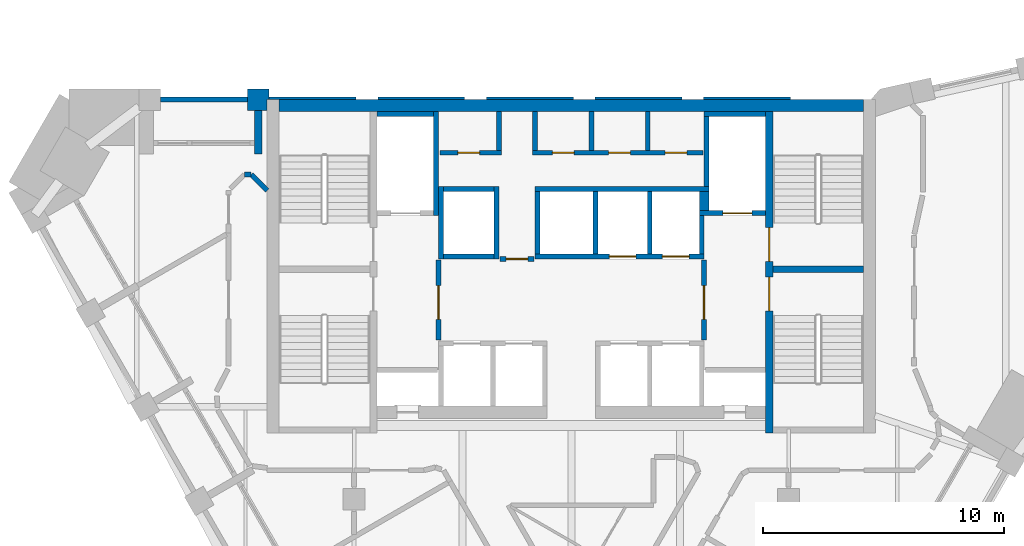
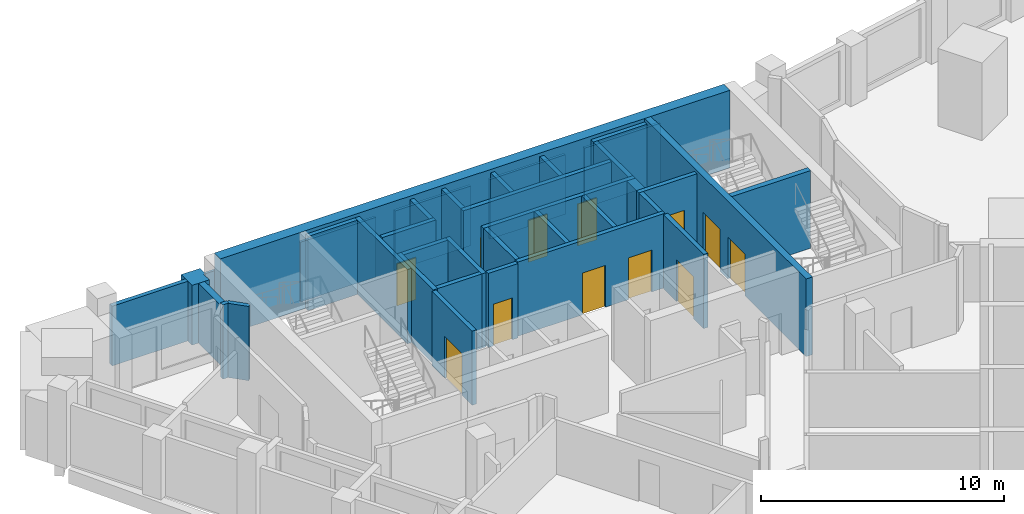
# One storey, part 6 of 9: 38 walls, 12 doors, 12 openings.
"""IFC4 building model written with IfcOpenShell, lengths in metres."""

from ifc_helpers import new_model, si_unit, direction, frame, frame_2d, origin, place, context, subcontext, project, spatial, polyline, rectangle, outline, extrude, material, layer, layer_set, type_object, element, fill, save


model = new_model("IFC4")

# Units and contexts
model_context = context("Model", 3, precision=1e-05, world=origin(), true_north=direction((0.0, 1.0)))
body_context = subcontext(model_context, "Body", "Model", "MODEL_VIEW")
ifc_project = project(units=[si_unit("LENGTHUNIT", "METRE"), si_unit("AREAUNIT", "SQUARE_METRE"), si_unit("VOLUMEUNIT", "CUBIC_METRE"), si_unit("PLANEANGLEUNIT", "RADIAN"), si_unit("MASSUNIT", "GRAM", prefix="KILO")], contexts=[model_context])

# Site, building, storey
site_placement = place(None, origin())
site = spatial("IfcSite", under=ifc_project, at=site_placement, CompositionType="ELEMENT")
building_placement = place(site_placement, origin())
building = spatial("IfcBuilding", under=site, at=building_placement, Name="Calabash Gate Tower", CompositionType="ELEMENT")
storey_placement = place(building_placement, frame((0.0, 0.0, 287.199951171875)))
storey = spatial("IfcBuildingStorey", under=building, at=storey_placement, Name="L69", CompositionType="ELEMENT", Elevation=287.199951171875)

# Walls
ifc_material_1 = material(Name="Terracotta brick masonry, exposed face", Category="masonry")
ifc_layer_1 = layer(ifc_material_1, 0.89990234375)
ifc_layer_set_1 = layer_set([ifc_layer_1], Name="Brick end wall 900")
wall_type_1 = type_object("IfcWallType", Name="Brick end wall 900", PredefinedType="SOLIDWALL", material=ifc_layer_set_1)
wall_1_placement = place(storey_placement, origin())
element("IfcWall", 1, at=wall_1_placement, inside=storey, type_object=wall_type_1, Name="Brick pier S21 N6.5", PredefinedType="SOLIDWALL", context=body_context, shape_type="SweptSolid", body=[
    extrude(outline(polyline([(-12.515625, 19.052490234375), (-12.515625, 19.50244140625), (-13.415771484375, 19.50244140625), (-13.415771484375, 18.6025390625), (-12.60009765625, 18.6025390625), (-12.60009765625, 19.052490234375), (-12.515625, 19.052490234375)])), origin(), (0.0, 0.0, 1.0), 3.0),
])
ifc_material_2 = material(Name="Terracotta brick masonry, exposed face", Category="masonry")
ifc_layer_2 = layer(ifc_material_2, 0.300048828125)
ifc_layer_set_2 = layer_set([ifc_layer_2], Name="Brick loggia cheek wall 300")
wall_type_2 = type_object("IfcWallType", Name="Brick loggia cheek wall 300", PredefinedType="SOLIDWALL", material=ifc_layer_set_2)
wall_2_placement = place(storey_placement, origin())
element("IfcWall", 2, at=wall_2_placement, inside=storey, type_object=wall_type_2, Name="Loggia cheek S21 N6.5", PredefinedType="SOLIDWALL", context=body_context, shape_type="SweptSolid", body=[
    extrude(outline(polyline([(-12.815673828125, 16.802490234375), (-12.815673828125, 18.6025390625), (-13.11572265625, 18.6025390625), (-13.11572265625, 16.802490234375), (-12.815673828125, 16.802490234375)])), origin(), (0.0, 0.0, 1.0), 3.0),
])
ifc_material_3 = material(Name="Gypsum board on steel studs, mineral wool", Category="steel")
ifc_layer_3 = layer(ifc_material_3, 0.199951171875)
ifc_layer_set_3 = layer_set([ifc_layer_3], Name="Core partition 200 gypsum board")
wall_type_3 = type_object("IfcWallType", Name="Core partition 200 gypsum board", PredefinedType="PARTITIONING", material=ifc_layer_set_3)
for number, where, z_axis, x_axis, name in (
    (3, (-3.0, 16.95263671875, 0.0), (0.0, 0.0, 1.0), (0.0, 1.0, 0.0), "Core partition"),
    (4, (-1.5, 16.95263671875, 0.0), (0.0, 0.0, 1.0), (0.0, 1.0, 0.0), "Core partition"),
    (5, (0.833251953125, 16.95263671875, 0.0), (0.0, 0.0, 1.0), (0.0, 1.0, 0.0), "Core partition"),
    (6, (3.166748046875, 16.95263671875, 0.0), (0.0, 0.0, 1.0), (0.0, 1.0, 0.0), "Core partition"),
):
    element("IfcWall", number, at=place(storey_placement, frame(where, z_axis=z_axis, x_axis=x_axis)), inside=storey, type_object=wall_type_3, Name=name, PredefinedType="PARTITIONING", context=body_context, shape_type="SweptSolid", body=[
        extrude(rectangle(XDim=1.599853515625, YDim=0.199951171875, at=frame_2d((0.7998046875, 0.0))), origin(), (0.0, 0.0, 1.0), 3.72998046875),
    ])
ifc_material_4 = material(Name="Concrete C60/75", Category="concrete")
ifc_layer_4 = layer(ifc_material_4, 0.25)
ifc_layer_set_4 = layer_set([ifc_layer_4], Name="Core wall 250 Concrete C60/75")
wall_type_4 = type_object("IfcWallType", Name="Core wall 250 Concrete C60/75", PredefinedType="SHEAR", material=ifc_layer_set_4)
wall_3_placement = place(storey_placement, frame((8.35009765625, 12.027587890625, 0.0), z_axis=(0.0, 0.0, 1.0), x_axis=(1.0, 0.0, 0.0)))
element("IfcWall", 7, at=wall_3_placement, inside=storey, type_object=wall_type_4, Name="Core wall Z5-MIDE L69", PredefinedType="SHEAR", context=body_context, shape_type="SweptSolid", body=[
    extrude(rectangle(XDim=3.75, YDim=0.25, at=frame_2d((1.875, 0.0))), origin(), (0.0, 0.0, 1.0), 3.900146484375),
])

# Wall, openings, doors
ifc_material_5 = material(Name="Concrete C60/75", Category="concrete")
ifc_layer_5 = layer(ifc_material_5, 0.300048828125)
ifc_layer_set_5 = layer_set([ifc_layer_5], Name="Core wall 300 Concrete C60/75")
wall_type_5 = type_object("IfcWallType", Name="Core wall 300 Concrete C60/75", PredefinedType="SHEAR", material=ifc_layer_set_5)
wall_4_placement = place(storey_placement, frame((8.199951171875, 5.252685546875, 0.0), z_axis=(0.0, 0.0, 1.0), x_axis=(0.0, 1.0, 0.0)))
wall_4 = element("IfcWall", 8, at=wall_4_placement, inside=storey, type_object=wall_type_5, Name="Core wall Z5-PARTE L69", PredefinedType="SHEAR", context=body_context, shape_type="SweptSolid", body=[
    extrude(rectangle(XDim=13.2998046875, YDim=0.300048828125, at=frame_2d((6.64990234375, 0.0))), origin(), (0.0, 0.0, 1.0), 3.900146484375),
])
opening_1_placement = place(wall_4_placement, frame((7.10009765625, 0.0, 0.0)))
opening_1 = element("IfcOpeningElement", 9, at=opening_1_placement, cuts=wall_4, Name="Opening O13-012", PredefinedType="OPENING", context=body_context, shape_type="SweptSolid", body=[
    extrude(rectangle(XDim=1.39990234375, YDim=2.10009765625, at=frame_2d((0.699951171875, 1.050048828125))), frame((0.0, 0.159912109375, 0.0), z_axis=(0.0, -1.0, 0.0), x_axis=(1.0, 0.0, 0.0)), (0.0, 0.0, 1.0), 0.320068359375),
])
opening_2_placement = place(wall_4_placement, frame((5.050048828125, 0.0, 0.0)))
opening_2 = element("IfcOpeningElement", 10, at=opening_2_placement, cuts=wall_4, Name="Opening O13-013", PredefinedType="OPENING", context=body_context, shape_type="SweptSolid", body=[
    extrude(rectangle(XDim=1.39990234375, YDim=2.10009765625, at=frame_2d((0.699951171875, 1.050048828125))), frame((0.0, 0.159912109375, 0.0), z_axis=(0.0, -1.0, 0.0), x_axis=(1.0, 0.0, 0.0)), (0.0, 0.0, 1.0), 0.320068359375),
])
ifc_material_6 = material(Name="Steel fire door set with fire-resisting glazing", Category="steel")
door_type_1 = type_object("IfcDoorType", Name="Fire door D05 1400x2100 FD90", OperationType="NOTDEFINED", PredefinedType="DOOR", material=ifc_material_6)
door_1_placement = place(opening_1_placement, origin())
door_1 = element("IfcDoor", 11, at=door_1_placement, inside=storey, type_object=door_type_1, Name="Exit stair door ST3", OperationType="SINGLE_SWING_RIGHT", OverallHeight=2.10009765625, OverallWidth=1.39990234375, PredefinedType="DOOR", context=body_context, shape_type="SweptSolid", body=[
    extrude(rectangle(XDim=1.39990234375, YDim=2.10009765625, at=frame_2d((0.699951171875, 1.050048828125))), frame((0.0, 0.02490234375, 0.0), z_axis=(0.0, -1.0, 0.0), x_axis=(1.0, 0.0, 0.0)), (0.0, 0.0, 1.0), 0.050048828125),
])
fill(opening_1, door_1)
door_2_placement = place(opening_2_placement, origin())
door_2 = element("IfcDoor", 12, at=door_2_placement, inside=storey, type_object=door_type_1, Name="Exit stair door ST4", OperationType="SINGLE_SWING_LEFT", OverallHeight=2.10009765625, OverallWidth=1.39990234375, PredefinedType="DOOR", context=body_context, shape_type="SweptSolid", body=[
    extrude(rectangle(XDim=1.39990234375, YDim=2.10009765625, at=frame_2d((0.699951171875, 1.050048828125))), frame((0.0, 0.02490234375, 0.0), z_axis=(0.0, -1.0, 0.0), x_axis=(1.0, 0.0, 0.0)), (0.0, 0.0, 1.0), 0.050048828125),
])
fill(opening_2, door_2)

# Walls
ifc_material_7 = material(Name="Concrete C60/75", Category="concrete")
ifc_layer_6 = layer(ifc_material_7, 0.5)
ifc_layer_set_6 = layer_set([ifc_layer_6], Name="Core wall 500 Concrete C60/75")
wall_type_6 = type_object("IfcWallType", Name="Core wall 500 Concrete C60/75", PredefinedType="SHEAR", material=ifc_layer_set_6)
wall_5_placement = place(storey_placement, frame((-12.10009765625, 18.802490234375, 0.0), z_axis=(0.0, 0.0, 1.0), x_axis=(1.0, 0.0, 0.0)))
element("IfcWall", 13, at=wall_5_placement, inside=storey, type_object=wall_type_6, Name="Core wall Z5-N L69", PredefinedType="SHEAR", context=body_context, shape_type="SweptSolid", body=[
    extrude(rectangle(XDim=24.2001953125, YDim=0.5, at=frame_2d((12.10009765625, 0.0))), origin(), (0.0, 0.0, 1.0), 3.900146484375),
])
ifc_material_8 = material(Name="Gypsum board on steel studs, mineral wool", Category="steel")
ifc_layer_7 = layer(ifc_material_8, 0.199951171875)
ifc_layer_set_7 = layer_set([ifc_layer_7], Name="Partition 200 gypsum board EI 60")
wall_type_7 = type_object("IfcWallType", Name="Partition 200 gypsum board EI 60", PredefinedType="PARTITIONING", material=ifc_layer_set_7)
wall_6_placement = place(storey_placement, frame((-13.5400390625, 15.953125, 0.0), z_axis=(0.0, 0.0, 1.0), x_axis=(0.99999962061, -0.000871079809, 0.0)))
element("IfcWall", 14, at=wall_6_placement, inside=storey, type_object=wall_type_7, Name="Partition", PredefinedType="PARTITIONING", context=body_context, shape_type="SweptSolid", body=[
    extrude(rectangle(XDim=0.2802734375, YDim=0.199951171875, at=frame_2d((0.14013671875, 0.0))), origin(), (0.0, 0.0, 1.0), 3.72998046875),
])
wall_7_placement = place(storey_placement, frame((-13.259765625, 15.952880859375, 0.0), z_axis=(0.0, 0.0, 1.0), x_axis=(0.708285399161, -0.705926195389, 0.0)))
element("IfcWall", 15, at=wall_7_placement, inside=storey, type_object=wall_type_7, Name="Partition", PredefinedType="PARTITIONING", context=body_context, shape_type="SweptSolid", body=[
    extrude(rectangle(XDim=0.931396484375, YDim=0.199951171875, at=frame_2d((0.4658203125, 0.0))), origin(), (0.0, 0.0, 1.0), 3.72998046875),
])

# Wall, opening, door
ifc_material_9 = material(Name="Concrete C40/50", Category="concrete")
ifc_layer_8 = layer(ifc_material_9, 0.199951171875)
ifc_layer_set_8 = layer_set([ifc_layer_8], Name="Shaft wall 200 Concrete C40/50")
wall_type_8 = type_object("IfcWallType", Name="Shaft wall 200 Concrete C40/50", PredefinedType="SOLIDWALL", material=ifc_layer_set_8)
wall_8_placement = place(storey_placement, frame((-5.5, 9.1025390625, 0.0), z_axis=(0.0, 0.0, 1.0), x_axis=(0.0, 1.0, 0.0)))
wall_8 = element("IfcWall", 16, at=wall_8_placement, inside=storey, type_object=wall_type_8, Name="Shaft wall", PredefinedType="SOLIDWALL", context=body_context, shape_type="SweptSolid", body=[
    extrude(rectangle(XDim=3.300048828125, YDim=0.199951171875, at=frame_2d((1.64990234375, 0.0))), origin(), (0.0, 0.0, 1.0), 3.72998046875),
])
opening_3_placement = place(wall_8_placement, frame((0.85009765625, 0.0, 0.0)))
opening_3 = element("IfcOpeningElement", 17, at=opening_3_placement, cuts=wall_8, Name="Opening O13-003", PredefinedType="OPENING", context=body_context, shape_type="SweptSolid", body=[
    extrude(rectangle(XDim=1.39990234375, YDim=2.10009765625, at=frame_2d((0.699951171875, 1.050048828125))), frame((0.0, 0.10986328125, 0.0), z_axis=(0.0, -1.0, 0.0), x_axis=(1.0, 0.0, 0.0)), (0.0, 0.0, 1.0), 0.219970703125),
])
door_3_placement = place(opening_3_placement, origin())
door_3 = element("IfcDoor", 18, at=door_3_placement, inside=storey, type_object=door_type_1, Name="Firefighting Lobby W door", OperationType="SINGLE_SWING_RIGHT", OverallHeight=2.10009765625, OverallWidth=1.39990234375, PredefinedType="DOOR", context=body_context, shape_type="SweptSolid", body=[
    extrude(rectangle(XDim=1.39990234375, YDim=2.10009765625, at=frame_2d((0.699951171875, 1.050048828125))), frame((0.0, 0.02490234375, 0.0), z_axis=(0.0, -1.0, 0.0), x_axis=(1.0, 0.0, 0.0)), (0.0, 0.0, 1.0), 0.050048828125),
])
fill(opening_3, door_3)

wall_9_placement = place(storey_placement, frame((5.5, 9.1025390625, 0.0), z_axis=(0.0, 0.0, 1.0), x_axis=(0.0, 1.0, 0.0)))
wall_9 = element("IfcWall", 19, at=wall_9_placement, inside=storey, type_object=wall_type_8, Name="Shaft wall", PredefinedType="SOLIDWALL", context=body_context, shape_type="SweptSolid", body=[
    extrude(rectangle(XDim=3.300048828125, YDim=0.199951171875, at=frame_2d((1.64990234375, 0.0))), origin(), (0.0, 0.0, 1.0), 3.72998046875),
])
opening_4_placement = place(wall_9_placement, frame((0.85009765625, 0.0, 0.0)))
opening_4 = element("IfcOpeningElement", 20, at=opening_4_placement, cuts=wall_9, Name="Opening O13-002", PredefinedType="OPENING", context=body_context, shape_type="SweptSolid", body=[
    extrude(rectangle(XDim=1.39990234375, YDim=2.10009765625, at=frame_2d((0.699951171875, 1.050048828125))), frame((0.0, 0.10986328125, 0.0), z_axis=(0.0, -1.0, 0.0), x_axis=(1.0, 0.0, 0.0)), (0.0, 0.0, 1.0), 0.219970703125),
])
door_4_placement = place(opening_4_placement, origin())
door_4 = element("IfcDoor", 21, at=door_4_placement, inside=storey, type_object=door_type_1, Name="Firefighting Lobby E door", OperationType="SINGLE_SWING_LEFT", OverallHeight=2.10009765625, OverallWidth=1.39990234375, PredefinedType="DOOR", context=body_context, shape_type="SweptSolid", body=[
    extrude(rectangle(XDim=1.39990234375, YDim=2.10009765625, at=frame_2d((0.699951171875, 1.050048828125))), frame((0.0, 0.02490234375, 0.0), z_axis=(0.0, -1.0, 0.0), x_axis=(1.0, 0.0, 0.0)), (0.0, 0.0, 1.0), 0.050048828125),
])
fill(opening_4, door_4)

wall_10_placement = place(storey_placement, frame((-2.949951171875, 12.45263671875, 0.0), z_axis=(0.0, 0.0, 1.0), x_axis=(1.0, 0.0, 0.0)))
wall_10 = element("IfcWall", 22, at=wall_10_placement, inside=storey, type_object=wall_type_8, Name="Shaft wall", PredefinedType="SOLIDWALL", context=body_context, shape_type="SweptSolid", body=[
    extrude(rectangle(XDim=1.39990234375, YDim=0.199951171875, at=frame_2d((0.699951171875, 0.0))), origin(), (0.0, 0.0, 1.0), 3.72998046875),
])
opening_5_placement = place(wall_10_placement, frame((0.25, 0.0, 0.0)))
opening_5 = element("IfcOpeningElement", 23, at=opening_5_placement, cuts=wall_10, Name="Opening O13-001", PredefinedType="OPENING", context=body_context, shape_type="SweptSolid", body=[
    extrude(rectangle(XDim=0.89990234375, YDim=2.10009765625, at=frame_2d((0.449951171875, 1.050048828125))), frame((0.0, 0.10986328125, 0.0), z_axis=(0.0, -1.0, 0.0), x_axis=(1.0, 0.0, 0.0)), (0.0, 0.0, 1.0), 0.219970703125),
])
ifc_material_10 = material(Name="Steel fire door set with fire-resisting glazing", Category="steel")
door_type_2 = type_object("IfcDoorType", Name="Fire door D06 900x2100 FD60", OperationType="NOTDEFINED", PredefinedType="DOOR", material=ifc_material_10)
door_5_placement = place(opening_5_placement, origin())
door_5 = element("IfcDoor", 24, at=door_5_placement, inside=storey, type_object=door_type_2, Name="Service Corridor door", OperationType="SINGLE_SWING_RIGHT", OverallHeight=2.10009765625, OverallWidth=0.89990234375, PredefinedType="DOOR", context=body_context, shape_type="SweptSolid", body=[
    extrude(rectangle(XDim=0.89990234375, YDim=2.10009765625, at=frame_2d((0.449951171875, 1.050048828125))), frame((0.0, 0.02490234375, 0.0), z_axis=(0.0, -1.0, 0.0), x_axis=(1.0, 0.0, 0.0)), (0.0, 0.0, 1.0), 0.050048828125),
])
fill(opening_5, door_5)

# Walls
wall_11_placement = place(storey_placement, frame((-5.39990234375, 12.45263671875, 0.0), z_axis=(0.0, 0.0, 1.0), x_axis=(0.0, 1.0, 0.0)))
element("IfcWall", 25, at=wall_11_placement, inside=storey, type_object=wall_type_8, Name="Shaft wall", PredefinedType="SOLIDWALL", context=body_context, shape_type="SweptSolid", body=[
    extrude(rectangle(XDim=3.0, YDim=0.199951171875, at=frame_2d((1.5, 0.0))), origin(), (0.0, 0.0, 1.0), 3.72998046875),
])
wall_12_placement = place(storey_placement, frame((-5.300048828125, 12.552490234375, 0.0), z_axis=(0.0, 0.0, 1.0), x_axis=(1.0, 0.0, 0.0)))
element("IfcWall", 26, at=wall_12_placement, inside=storey, type_object=wall_type_8, Name="Shaft wall", PredefinedType="SOLIDWALL", context=body_context, shape_type="SweptSolid", body=[
    extrude(rectangle(XDim=2.10009765625, YDim=0.199951171875, at=frame_2d((1.050048828125, 0.0))), origin(), (0.0, 0.0, 1.0), 3.72998046875),
])
wall_13_placement = place(storey_placement, frame((-3.10009765625, 12.45263671875, 0.0), z_axis=(0.0, 0.0, 1.0), x_axis=(0.0, 1.0, 0.0)))
element("IfcWall", 27, at=wall_13_placement, inside=storey, type_object=wall_type_8, Name="Shaft wall", PredefinedType="SOLIDWALL", context=body_context, shape_type="SweptSolid", body=[
    extrude(rectangle(XDim=3.0, YDim=0.199951171875, at=frame_2d((1.5, 0.0))), origin(), (0.0, 0.0, 1.0), 3.72998046875),
])

# Wall, openings, doors
wall_14_placement = place(storey_placement, frame((-1.5, 12.552490234375, 0.0), z_axis=(0.0, 0.0, 1.0), x_axis=(1.0, 0.0, 0.0)))
wall_14 = element("IfcWall", 28, at=wall_14_placement, inside=storey, type_object=wall_type_8, Name="Shaft wall", PredefinedType="SOLIDWALL", context=body_context, shape_type="SweptSolid", body=[
    extrude(rectangle(XDim=7.0, YDim=0.199951171875, at=frame_2d((3.5, 0.0))), origin(), (0.0, 0.0, 1.0), 3.72998046875),
])
opening_6_placement = place(wall_14_placement, frame((3.074951171875, 0.0, 0.0)))
opening_6 = element("IfcOpeningElement", 29, at=opening_6_placement, cuts=wall_14, Name="Opening LD-HR5", PredefinedType="OPENING", context=body_context, shape_type="SweptSolid", body=[
    extrude(rectangle(XDim=1.10009765625, YDim=2.10009765625, at=frame_2d((0.550048828125, 1.050048828125))), frame((0.0, 0.10986328125, 0.0), z_axis=(0.0, -1.0, 0.0), x_axis=(1.0, 0.0, 0.0)), (0.0, 0.0, 1.0), 0.219970703125),
])
opening_7_placement = place(wall_14_placement, frame((5.27490234375, 0.0, 0.0)))
opening_7 = element("IfcOpeningElement", 30, at=opening_7_placement, cuts=wall_14, Name="Opening LD-HR6", PredefinedType="OPENING", context=body_context, shape_type="SweptSolid", body=[
    extrude(rectangle(XDim=1.10009765625, YDim=2.10009765625, at=frame_2d((0.550048828125, 1.050048828125))), frame((0.0, 0.10986328125, 0.0), z_axis=(0.0, -1.0, 0.0), x_axis=(1.0, 0.0, 0.0)), (0.0, 0.0, 1.0), 0.219970703125),
])
ifc_material_11 = material(Name="Stainless steel sliding door leaves", Category="steel")
door_type_3 = type_object("IfcDoorType", Name="Lift landing door LS1 1100x2100 FD90", OperationType="DOUBLE_DOOR_SLIDING", PredefinedType="DOOR", material=ifc_material_11)
door_6_placement = place(opening_6_placement, origin())
door_6 = element("IfcDoor", 31, at=door_6_placement, inside=storey, type_object=door_type_3, Name="Lift landing door HR5", OperationType="DOUBLE_DOOR_SLIDING", OverallHeight=2.10009765625, OverallWidth=1.10009765625, PredefinedType="DOOR", context=body_context, shape_type="SweptSolid", body=[
    extrude(rectangle(XDim=1.10009765625, YDim=2.10009765625, at=frame_2d((0.550048828125, 1.050048828125))), frame((0.0, 0.02490234375, 0.0), z_axis=(0.0, -1.0, 0.0), x_axis=(1.0, 0.0, 0.0)), (0.0, 0.0, 1.0), 0.050048828125),
])
fill(opening_6, door_6)
door_7_placement = place(opening_7_placement, origin())
door_7 = element("IfcDoor", 32, at=door_7_placement, inside=storey, type_object=door_type_3, Name="Lift landing door HR6", OperationType="DOUBLE_DOOR_SLIDING", OverallHeight=2.10009765625, OverallWidth=1.10009765625, PredefinedType="DOOR", context=body_context, shape_type="SweptSolid", body=[
    extrude(rectangle(XDim=1.10009765625, YDim=2.10009765625, at=frame_2d((0.550048828125, 1.050048828125))), frame((0.0, 0.02490234375, 0.0), z_axis=(0.0, -1.0, 0.0), x_axis=(1.0, 0.0, 0.0)), (0.0, 0.0, 1.0), 0.050048828125),
])
fill(opening_7, door_7)

# Walls
for number, where, z_axis, x_axis, name in (
    (33, (-1.39990234375, 12.652587890625, 0.0), (0.0, 0.0, 1.0), (0.0, 1.0, 0.0), "Shaft wall"),
    (34, (1.0, 12.652587890625, 0.0), (0.0, 0.0, 1.0), (0.0, 1.0, 0.0), "Shaft wall"),
    (35, (3.25, 12.652587890625, 0.0), (0.0, 0.0, 1.0), (0.0, 1.0, 0.0), "Shaft wall"),
):
    element("IfcWall", number, at=place(storey_placement, frame(where, z_axis=z_axis, x_axis=x_axis)), inside=storey, type_object=wall_type_8, Name=name, PredefinedType="SOLIDWALL", context=body_context, shape_type="SweptSolid", body=[
        extrude(rectangle(XDim=2.60009765625, YDim=0.199951171875, at=frame_2d((1.300048828125, 0.0))), origin(), (0.0, 0.0, 1.0), 3.72998046875),
    ])
wall_15_placement = place(storey_placement, frame((5.39990234375, 12.652587890625, 0.0), z_axis=(0.0, 0.0, 1.0), x_axis=(0.0, 1.0, 0.0)))
element("IfcWall", 36, at=wall_15_placement, inside=storey, type_object=wall_type_8, Name="Shaft wall", PredefinedType="SOLIDWALL", context=body_context, shape_type="SweptSolid", body=[
    extrude(rectangle(XDim=1.60009765625, YDim=0.199951171875, at=frame_2d((0.800048828125, 0.0))), origin(), (0.0, 0.0, 1.0), 3.72998046875),
])
wall_16_placement = place(storey_placement, frame((-5.60009765625, 14.252685546875, 0.0), z_axis=(0.0, 0.0, 1.0), x_axis=(0.0, 1.0, 0.0)))
element("IfcWall", 37, at=wall_16_placement, inside=storey, type_object=wall_type_8, Name="Shaft wall", PredefinedType="SOLIDWALL", context=body_context, shape_type="SweptSolid", body=[
    extrude(rectangle(XDim=4.2998046875, YDim=0.199951171875, at=frame_2d((2.14990234375, 0.0))), origin(), (0.0, 0.0, 1.0), 3.72998046875),
])

# Wall, opening, door
wall_17_placement = place(storey_placement, frame((5.300048828125, 14.3525390625, 0.0), z_axis=(0.0, 0.0, 1.0), x_axis=(1.0, 0.0, 0.0)))
wall_17 = element("IfcWall", 38, at=wall_17_placement, inside=storey, type_object=wall_type_8, Name="Shaft wall", PredefinedType="SOLIDWALL", context=body_context, shape_type="SweptSolid", body=[
    extrude(rectangle(XDim=2.75, YDim=0.199951171875, at=frame_2d((1.375, 0.0))), origin(), (0.0, 0.0, 1.0), 3.72998046875),
])
opening_8_placement = place(wall_17_placement, frame((0.97509765625, 0.0, 0.0)))
opening_8 = element("IfcOpeningElement", 39, at=opening_8_placement, cuts=wall_17, Name="Opening LD-FF2", PredefinedType="OPENING", context=body_context, shape_type="SweptSolid", body=[
    extrude(rectangle(XDim=1.199951171875, YDim=2.10009765625, at=frame_2d((0.60009765625, 1.050048828125))), frame((0.0, 0.10986328125, 0.0), z_axis=(0.0, -1.0, 0.0), x_axis=(1.0, 0.0, 0.0)), (0.0, 0.0, 1.0), 0.219970703125),
])
ifc_material_12 = material(Name="Stainless steel sliding door leaves", Category="steel")
door_type_4 = type_object("IfcDoorType", Name="Lift landing door LS3 1200x2100 FD90", OperationType="DOUBLE_DOOR_SLIDING", PredefinedType="DOOR", material=ifc_material_12)
door_8_placement = place(opening_8_placement, origin())
door_8 = element("IfcDoor", 40, at=door_8_placement, inside=storey, type_object=door_type_4, Name="Lift landing door FF2", OperationType="DOUBLE_DOOR_SLIDING", OverallHeight=2.10009765625, OverallWidth=1.199951171875, PredefinedType="DOOR", context=body_context, shape_type="SweptSolid", body=[
    extrude(rectangle(XDim=1.199951171875, YDim=2.10009765625, at=frame_2d((0.60009765625, 1.050048828125))), frame((0.0, 0.02490234375, 0.0), z_axis=(0.0, -1.0, 0.0), x_axis=(1.0, 0.0, 0.0)), (0.0, 0.0, 1.0), 0.050048828125),
])
fill(opening_8, door_8)

# Walls
wall_18_placement = place(storey_placement, frame((5.5, 14.45263671875, 0.0), z_axis=(0.0, 0.0, 1.0), x_axis=(0.0, 1.0, 0.0)))
element("IfcWall", 41, at=wall_18_placement, inside=storey, type_object=wall_type_8, Name="Shaft wall", PredefinedType="SOLIDWALL", context=body_context, shape_type="SweptSolid", body=[
    extrude(rectangle(XDim=0.800048828125, YDim=0.39990234375, at=frame_2d((0.39990234375, 0.0))), origin(), (0.0, 0.0, 1.0), 3.72998046875),
])
wall_19_placement = place(storey_placement, frame((-5.300048828125, 15.3525390625, 0.0), z_axis=(0.0, 0.0, 1.0), x_axis=(1.0, 0.0, 0.0)))
element("IfcWall", 42, at=wall_19_placement, inside=storey, type_object=wall_type_8, Name="Shaft wall", PredefinedType="SOLIDWALL", context=body_context, shape_type="SweptSolid", body=[
    extrude(rectangle(XDim=2.10009765625, YDim=0.199951171875, at=frame_2d((1.050048828125, 0.0))), origin(), (0.0, 0.0, 1.0), 3.72998046875),
])
wall_20_placement = place(storey_placement, frame((-1.5, 15.3525390625, 0.0), z_axis=(0.0, 0.0, 1.0), x_axis=(1.0, 0.0, 0.0)))
element("IfcWall", 43, at=wall_20_placement, inside=storey, type_object=wall_type_8, Name="Shaft wall", PredefinedType="SOLIDWALL", context=body_context, shape_type="SweptSolid", body=[
    extrude(rectangle(XDim=7.199951171875, YDim=0.199951171875, at=frame_2d((3.60009765625, 0.0))), origin(), (0.0, 0.0, 1.0), 3.72998046875),
])
wall_21_placement = place(storey_placement, frame((5.60009765625, 15.45263671875, 0.0), z_axis=(0.0, 0.0, 1.0), x_axis=(0.0, 1.0, 0.0)))
element("IfcWall", 44, at=wall_21_placement, inside=storey, type_object=wall_type_8, Name="Shaft wall", PredefinedType="SOLIDWALL", context=body_context, shape_type="SweptSolid", body=[
    extrude(rectangle(XDim=2.89990234375, YDim=0.199951171875, at=frame_2d((1.449951171875, 0.0))), origin(), (0.0, 0.0, 1.0), 3.72998046875),
])

# Wall, opening, door
wall_22_placement = place(storey_placement, frame((-5.449951171875, 16.8525390625, 0.0), z_axis=(0.0, 0.0, 1.0), x_axis=(1.0, 0.0, 0.0)))
wall_22 = element("IfcWall", 45, at=wall_22_placement, inside=storey, type_object=wall_type_8, Name="Shaft wall", PredefinedType="SOLIDWALL", context=body_context, shape_type="SweptSolid", body=[
    extrude(rectangle(XDim=2.550048828125, YDim=0.199951171875, at=frame_2d((1.27490234375, 0.0))), origin(), (0.0, 0.0, 1.0), 3.72998046875),
])
opening_9_placement = place(wall_22_placement, frame((0.75, 0.0, 0.0)))
opening_9 = element("IfcOpeningElement", 46, at=opening_9_placement, cuts=wall_22, Name="Opening O13-004", PredefinedType="OPENING", context=body_context, shape_type="SweptSolid", body=[
    extrude(rectangle(XDim=0.89990234375, YDim=2.10009765625, at=frame_2d((0.449951171875, 1.050048828125))), frame((0.0, 0.10986328125, 0.0), z_axis=(0.0, -1.0, 0.0), x_axis=(1.0, 0.0, 0.0)), (0.0, 0.0, 1.0), 0.219970703125),
])
door_9_placement = place(opening_9_placement, origin())
door_9 = element("IfcDoor", 47, at=door_9_placement, inside=storey, type_object=door_type_2, Name="Accessible WC door", OperationType="SINGLE_SWING_LEFT", OverallHeight=2.10009765625, OverallWidth=0.89990234375, PredefinedType="DOOR", context=body_context, shape_type="SweptSolid", body=[
    extrude(rectangle(XDim=0.89990234375, YDim=2.10009765625, at=frame_2d((0.449951171875, 1.050048828125))), frame((0.0, 0.02490234375, 0.0), z_axis=(0.0, -1.0, 0.0), x_axis=(1.0, 0.0, 0.0)), (0.0, 0.0, 1.0), 0.050048828125),
])
fill(opening_9, door_9)

# Wall, openings, doors
wall_23_placement = place(storey_placement, frame((-1.60009765625, 16.8525390625, 0.0), z_axis=(0.0, 0.0, 1.0), x_axis=(1.0, 0.0, 0.0)))
wall_23 = element("IfcWall", 48, at=wall_23_placement, inside=storey, type_object=wall_type_8, Name="Shaft wall", PredefinedType="SOLIDWALL", context=body_context, shape_type="SweptSolid", body=[
    extrude(rectangle(XDim=7.050048828125, YDim=0.199951171875, at=frame_2d((3.52490234375, 0.0))), origin(), (0.0, 0.0, 1.0), 3.72998046875),
])
opening_10_placement = place(wall_23_placement, frame((0.816650390625, 0.0, 0.0)))
opening_10 = element("IfcOpeningElement", 49, at=opening_10_placement, cuts=wall_23, Name="Opening O13-005", PredefinedType="OPENING", context=body_context, shape_type="SweptSolid", body=[
    extrude(rectangle(XDim=0.89990234375, YDim=2.10009765625, at=frame_2d((0.449951171875, 1.050048828125))), frame((0.0, 0.10986328125, 0.0), z_axis=(0.0, -1.0, 0.0), x_axis=(1.0, 0.0, 0.0)), (0.0, 0.0, 1.0), 0.219970703125),
])
opening_11_placement = place(wall_23_placement, frame((3.14990234375, 0.0, 0.0)))
opening_11 = element("IfcOpeningElement", 50, at=opening_11_placement, cuts=wall_23, Name="Opening O13-006", PredefinedType="OPENING", context=body_context, shape_type="SweptSolid", body=[
    extrude(rectangle(XDim=0.89990234375, YDim=2.10009765625, at=frame_2d((0.449951171875, 1.050048828125))), frame((0.0, 0.10986328125, 0.0), z_axis=(0.0, -1.0, 0.0), x_axis=(1.0, 0.0, 0.0)), (0.0, 0.0, 1.0), 0.219970703125),
])
opening_12_placement = place(wall_23_placement, frame((5.4833984375, 0.0, 0.0)))
opening_12 = element("IfcOpeningElement", 51, at=opening_12_placement, cuts=wall_23, Name="Opening O13-007", PredefinedType="OPENING", context=body_context, shape_type="SweptSolid", body=[
    extrude(rectangle(XDim=0.89990234375, YDim=2.10009765625, at=frame_2d((0.449951171875, 1.050048828125))), frame((0.0, 0.10986328125, 0.0), z_axis=(0.0, -1.0, 0.0), x_axis=(1.0, 0.0, 0.0)), (0.0, 0.0, 1.0), 0.219970703125),
])
door_10_placement = place(opening_10_placement, origin())
door_10 = element("IfcDoor", 52, at=door_10_placement, inside=storey, type_object=door_type_2, Name="Cleaner's Store door", OperationType="SINGLE_SWING_LEFT", OverallHeight=2.10009765625, OverallWidth=0.89990234375, PredefinedType="DOOR", context=body_context, shape_type="SweptSolid", body=[
    extrude(rectangle(XDim=0.89990234375, YDim=2.10009765625, at=frame_2d((0.449951171875, 1.050048828125))), frame((0.0, 0.02490234375, 0.0), z_axis=(0.0, -1.0, 0.0), x_axis=(1.0, 0.0, 0.0)), (0.0, 0.0, 1.0), 0.050048828125),
])
fill(opening_10, door_10)
door_11_placement = place(opening_11_placement, origin())
door_11 = element("IfcDoor", 53, at=door_11_placement, inside=storey, type_object=door_type_2, Name="Tenant Pantry door", OperationType="SINGLE_SWING_LEFT", OverallHeight=2.10009765625, OverallWidth=0.89990234375, PredefinedType="DOOR", context=body_context, shape_type="SweptSolid", body=[
    extrude(rectangle(XDim=0.89990234375, YDim=2.10009765625, at=frame_2d((0.449951171875, 1.050048828125))), frame((0.0, 0.02490234375, 0.0), z_axis=(0.0, -1.0, 0.0), x_axis=(1.0, 0.0, 0.0)), (0.0, 0.0, 1.0), 0.050048828125),
])
fill(opening_11, door_11)
door_12_placement = place(opening_12_placement, origin())
door_12 = element("IfcDoor", 54, at=door_12_placement, inside=storey, type_object=door_type_2, Name="Print Room door", OperationType="SINGLE_SWING_RIGHT", OverallHeight=2.10009765625, OverallWidth=0.89990234375, PredefinedType="DOOR", context=body_context, shape_type="SweptSolid", body=[
    extrude(rectangle(XDim=0.89990234375, YDim=2.10009765625, at=frame_2d((0.449951171875, 1.050048828125))), frame((0.0, 0.02490234375, 0.0), z_axis=(0.0, -1.0, 0.0), x_axis=(1.0, 0.0, 0.0)), (0.0, 0.0, 1.0), 0.050048828125),
])
fill(opening_12, door_12)

# Walls
wall_24_placement = place(storey_placement, frame((-8.050048828125, 18.45263671875, 0.0), z_axis=(0.0, 0.0, 1.0), x_axis=(1.0, 0.0, 0.0)))
element("IfcWall", 55, at=wall_24_placement, inside=storey, type_object=wall_type_8, Name="Shaft wall", PredefinedType="SOLIDWALL", context=body_context, shape_type="SweptSolid", body=[
    extrude(rectangle(XDim=2.35009765625, YDim=0.199951171875, at=frame_2d((1.175048828125, 0.0))), origin(), (0.0, 0.0, 1.0), 3.72998046875),
])
wall_25_placement = place(storey_placement, frame((5.5, 18.45263671875, 0.0), z_axis=(0.0, 0.0, 1.0), x_axis=(1.0, 0.0, 0.0)))
element("IfcWall", 56, at=wall_25_placement, inside=storey, type_object=wall_type_8, Name="Shaft wall", PredefinedType="SOLIDWALL", context=body_context, shape_type="SweptSolid", body=[
    extrude(rectangle(XDim=2.550048828125, YDim=0.199951171875, at=frame_2d((1.27490234375, 0.0))), origin(), (0.0, 0.0, 1.0), 3.72998046875),
])
ifc_material_13 = material(Name="Terracotta brick masonry, perforated", Category="masonry")
ifc_layer_9 = layer(ifc_material_13, 0.1201171875)
ifc_layer_set_9 = layer_set([ifc_layer_9], Name="Terracotta jaali cladding A 120")
wall_type_9 = type_object("IfcWallType", Name="Terracotta jaali cladding A 120", PredefinedType="SOLIDWALL", material=ifc_layer_set_9)
wall_26_placement = place(storey_placement, origin())
element("IfcWall", 57, at=wall_26_placement, inside=storey, type_object=wall_type_9, Name="Jaali cladding S21 N6.1", PredefinedType="SOLIDWALL", context=body_context, shape_type="SweptSolid", body=[
    extrude(outline(polyline([(5.484375, 19.172607421875), (5.484375, 19.052490234375), (9.084228515625, 19.052490234375), (9.084228515625, 19.172607421875), (5.484375, 19.172607421875)])), origin(), (0.0, 0.0, 1.0), 3.0),
])
wall_27_placement = place(storey_placement, origin())
element("IfcWall", 58, at=wall_27_placement, inside=storey, type_object=wall_type_9, Name="Jaali cladding S21 N6.3", PredefinedType="SOLIDWALL", context=body_context, shape_type="SweptSolid", body=[
    extrude(outline(polyline([(-3.515625, 19.172607421875), (-3.515625, 19.052490234375), (0.084228515625, 19.052490234375), (0.084228515625, 19.172607421875), (-3.515625, 19.172607421875)])), origin(), (0.0, 0.0, 1.0), 3.0),
])
wall_28_placement = place(storey_placement, origin())
element("IfcWall", 59, at=wall_28_placement, inside=storey, type_object=wall_type_9, Name="Jaali cladding S21 N6.5", PredefinedType="SOLIDWALL", context=body_context, shape_type="SweptSolid", body=[
    extrude(outline(polyline([(-12.51513671875, 19.172607421875), (-12.51513671875, 19.052490234375), (-8.915771484375, 19.052490234375), (-8.915771484375, 19.172607421875), (-12.51513671875, 19.172607421875)])), origin(), (0.0, 0.0, 1.0), 3.0),
])
ifc_material_14 = material(Name="Terracotta brick masonry, perforated", Category="masonry")
ifc_layer_10 = layer(ifc_material_14, 0.199951171875)
ifc_layer_set_10 = layer_set([ifc_layer_10], Name="Terracotta jaali screen A")
wall_type_10 = type_object("IfcWallType", Name="Terracotta jaali screen A", PredefinedType="SOLIDWALL", material=ifc_layer_set_10)
wall_29_placement = place(storey_placement, frame((-13.415771484375, 19.052490234375, 0.0), z_axis=(0.0, 0.0, 1.0), x_axis=(-1.0, 0.0, 0.0)))
element("IfcWall", 60, at=wall_29_placement, inside=storey, type_object=wall_type_10, Name="SCREEN A S21 N6.6", PredefinedType="SOLIDWALL", context=body_context, shape_type="SweptSolid", body=[
    extrude(rectangle(XDim=3.599853515625, YDim=0.199951171875, at=frame_2d((1.7998046875, 0.0))), origin(), (0.0, 0.0, 1.0), 3.0),
])
ifc_material_15 = material(Name="Terracotta louvre blades in an aluminium frame", Category="masonry")
ifc_layer_11 = layer(ifc_material_15, 0.1201171875)
ifc_layer_set_11 = layer_set([ifc_layer_11], Name="Terracotta vent louvre cladding 120")
wall_type_11 = type_object("IfcWallType", Name="Terracotta vent louvre cladding 120", PredefinedType="ELEMENTEDWALL", material=ifc_layer_set_11)
wall_30_placement = place(storey_placement, origin())
element("IfcWall", 61, at=wall_30_placement, inside=storey, type_object=wall_type_11, Name="Vent louvre cladding S21 N6.2", PredefinedType="ELEMENTEDWALL", context=body_context, shape_type="SweptSolid", body=[
    extrude(outline(polyline([(0.984375, 19.172607421875), (0.984375, 19.052490234375), (4.584228515625, 19.052490234375), (4.584228515625, 19.172607421875), (0.984375, 19.172607421875)])), origin(), (0.0, 0.0, 1.0), 3.0),
])
wall_31_placement = place(storey_placement, origin())
element("IfcWall", 62, at=wall_31_placement, inside=storey, type_object=wall_type_11, Name="Vent louvre cladding S21 N6.4", PredefinedType="ELEMENTEDWALL", context=body_context, shape_type="SweptSolid", body=[
    extrude(outline(polyline([(-8.015625, 19.172607421875), (-8.015625, 19.052490234375), (-4.415771484375, 19.052490234375), (-4.415771484375, 19.172607421875), (-8.015625, 19.172607421875)])), origin(), (0.0, 0.0, 1.0), 3.0),
])

save(model, "model.ifc")
